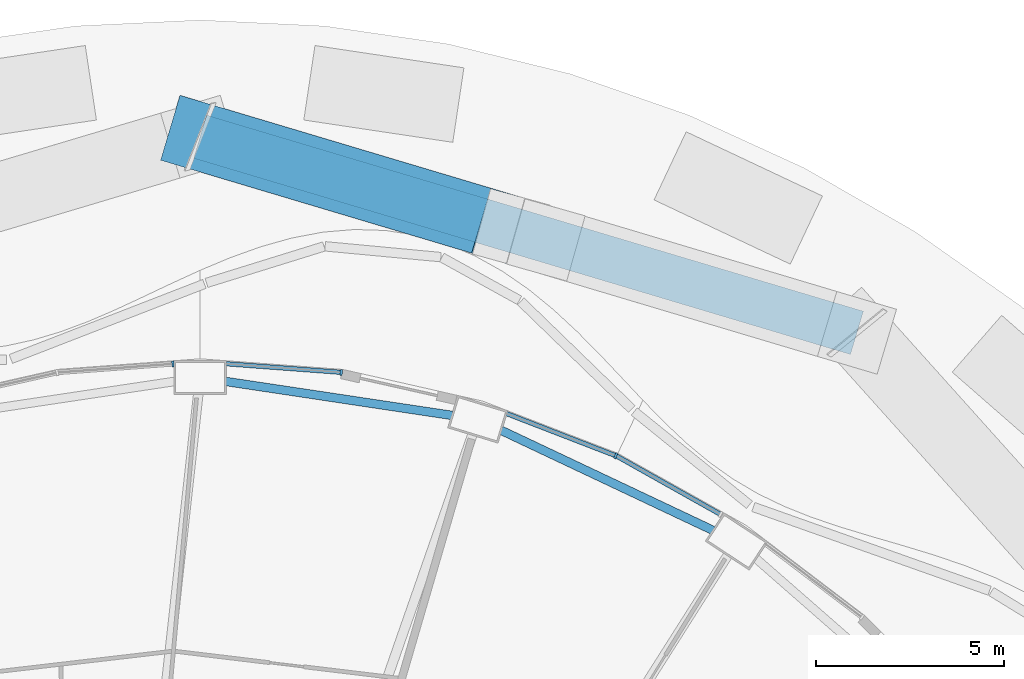
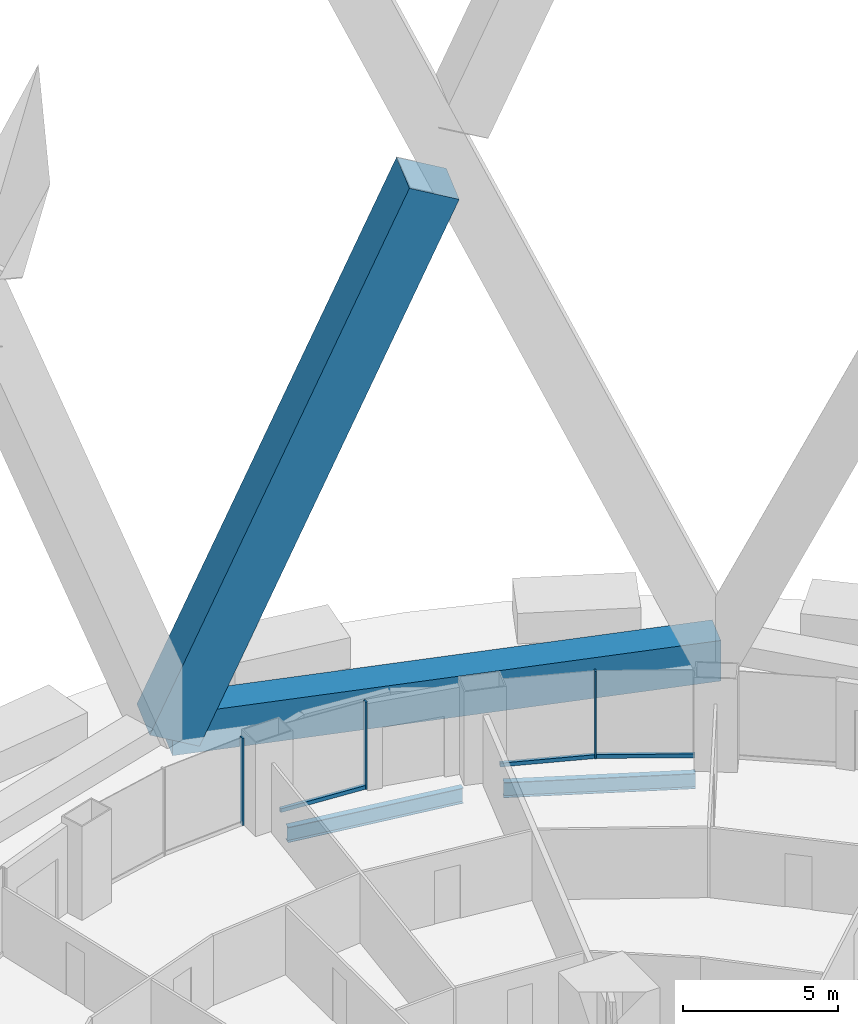
# One storey, part 27 of 42: 8 members, 2 beams, 4 elements without a shape of their own.
"""IFC4 building model written with IfcOpenShell, lengths in metres."""

from ifc_helpers import new_model, si_unit, direction, frame, origin, origin_2d, place, context, subcontext, project, spatial, rectangle, i_section, extrude, material, layer, layer_set, material_profile, profile_set, type_object, element, aggregate, save


model = new_model("IFC4")

# Units and contexts
model_context = context("Model", 3, precision=1e-05, world=origin(), true_north=direction((0.0, 1.0)))
body_context = subcontext(model_context, "Body", "Model", "MODEL_VIEW")
ifc_project = project(units=[si_unit("LENGTHUNIT", "METRE"), si_unit("AREAUNIT", "SQUARE_METRE"), si_unit("VOLUMEUNIT", "CUBIC_METRE"), si_unit("PLANEANGLEUNIT", "RADIAN"), si_unit("MASSUNIT", "GRAM", prefix="KILO")], contexts=[model_context])

# Site, building, storey
site_placement = place(None, origin())
site = spatial("IfcSite", under=ifc_project, at=site_placement, CompositionType="ELEMENT")
building_placement = place(site_placement, origin())
building = spatial("IfcBuilding", under=site, at=building_placement, Name="Nagisa Residences", CompositionType="ELEMENT")
storey_placement = place(building_placement, frame((0.0, 0.0, 27.0)))
storey = spatial("IfcBuildingStorey", under=building, at=storey_placement, Name="L05", CompositionType="ELEMENT", Elevation=27.0)

# Curtain wall, member
ifc_material_1 = material(Name="Concrete-coloured aluminium curtain wall system", Category="concrete")
ifc_layer = layer(ifc_material_1, 0.159912109375)
ifc_layer_set = layer_set([ifc_layer], Name="CW1 CURTAIN WALL")
curtain_wall_type = type_object("IfcCurtainWallType", Name="CW1 CURTAIN WALL", PredefinedType="NOTDEFINED", material=ifc_layer_set)
curtain_wall_1_placement = place(storey_placement, origin())
curtain_wall_1 = element("IfcCurtainWall", 1, at=curtain_wall_1_placement, inside=storey, type_object=curtain_wall_type, Name="cw:CW1:L05:09", PredefinedType="NOTDEFINED")
ifc_material_2 = material(Name="Concrete-coloured aluminium", Category="concrete")
ifc_material_profile_1 = material_profile(ifc_material_2, rectangle(XDim=0.159912109375, YDim=0.06005859375, at=origin_2d()), Name="CW1 MULLION 160x60")
ifc_profile_set_1 = profile_set([ifc_material_profile_1], Name="Concrete-coloured aluminium")
member_type_1 = type_object("IfcMemberType", Name="CW1 MULLION 160x60", PredefinedType="MULLION", material=ifc_profile_set_1)
member_1_placement = place(storey_placement, frame((14.64111328125, 30.42431640625, 0.0), z_axis=(0.0, 0.0, 1.0), x_axis=(-0.360327770268, -0.932825759707, 0.0)))
member_1 = element("IfcMember", 2, at=member_1_placement, type_object=member_type_1, Name="CW1 mullion", PredefinedType="MULLION", context=body_context, shape_type="SweptSolid", body=[
    extrude(rectangle(XDim=0.159912109375, YDim=0.06005859375, at=origin_2d()), origin(), (0.0, 0.0, 1.0), 3.43994140625),
])

curtain_wall_2_placement = place(storey_placement, origin())
curtain_wall_2 = element("IfcCurtainWall", 3, at=curtain_wall_2_placement, inside=storey, type_object=curtain_wall_type, Name="cw:CW1:L05:11", PredefinedType="NOTDEFINED")
member_2_placement = place(storey_placement, frame((7.349365234375, 32.64013671875, 0.0), z_axis=(0.0, 0.0, 1.0), x_axis=(-0.074377355493, -0.997230168512, 0.0)))
member_2 = element("IfcMember", 4, at=member_2_placement, type_object=member_type_1, Name="CW1 mullion", PredefinedType="MULLION", context=body_context, shape_type="SweptSolid", body=[
    extrude(rectangle(XDim=0.159912109375, YDim=0.06005859375, at=origin_2d()), origin(), (0.0, 0.0, 1.0), 3.43994140625),
])

curtain_wall_3_placement = place(storey_placement, origin())
curtain_wall_3 = element("IfcCurtainWall", 5, at=curtain_wall_3_placement, inside=storey, type_object=curtain_wall_type, Name="cw:CW1:L05:12", PredefinedType="NOTDEFINED")
member_3_placement = place(storey_placement, frame((2.8779296875, 32.865966796875, 0.0), z_axis=(0.0, 0.0, 1.0), x_axis=(0.074377355493, -0.997230168512, 0.0)))
member_3 = element("IfcMember", 6, at=member_3_placement, type_object=member_type_1, Name="CW1 mullion", PredefinedType="MULLION", context=body_context, shape_type="SweptSolid", body=[
    extrude(rectangle(XDim=0.159912109375, YDim=0.06005859375, at=origin_2d()), origin(), (0.0, 0.0, 1.0), 3.43994140625),
])
aggregate(curtain_wall_3, [member_3])

curtain_wall_4_placement = place(storey_placement, origin())
curtain_wall_4 = element("IfcCurtainWall", 7, at=curtain_wall_4_placement, inside=storey, type_object=curtain_wall_type, Name="cw:CW1:L05:08", PredefinedType="NOTDEFINED")
ifc_material_3 = material(Name="Concrete-coloured aluminium", Category="concrete")
ifc_material_profile_2 = material_profile(ifc_material_3, rectangle(XDim=0.1201171875, YDim=0.14990234375, at=origin_2d()), Name="CW1 TRANSOM 120x150")
ifc_profile_set_2 = profile_set([ifc_material_profile_2], Name="Concrete-coloured aluminium")
member_type_2 = type_object("IfcMemberType", Name="CW1 TRANSOM 120x150", PredefinedType="USERDEFINED", material=ifc_profile_set_2)
member_4_placement = place(storey_placement, frame((17.450439453125, 28.8515625, 0.074951171875), z_axis=(-0.872070011948, 0.489381133946, 0.0), x_axis=(-0.489381133946, -0.872070011948, 0.0)))
member_4 = element("IfcMember", 8, at=member_4_placement, type_object=member_type_2, Name="CW1 transom", ObjectType="TRANSOM", PredefinedType="USERDEFINED", context=body_context, shape_type="SweptSolid", body=[
    extrude(rectangle(XDim=0.1201171875, YDim=0.14990234375, at=origin_2d()), origin(), (0.0, 0.0, 1.0), 3.201171875),
])
aggregate(curtain_wall_4, [member_4])

# Member
member_5_placement = place(storey_placement, frame((14.6689453125, 30.413330078125, 0.074951171875), z_axis=(-0.932825366452, 0.360328788337, 0.0), x_axis=(-0.360328788337, -0.932825366452, 0.0)))
member_5 = element("IfcMember", 9, at=member_5_placement, type_object=member_type_2, Name="CW1 transom", ObjectType="TRANSOM", PredefinedType="USERDEFINED", context=body_context, shape_type="SweptSolid", body=[
    extrude(rectangle(XDim=0.1201171875, YDim=0.14990234375, at=origin_2d()), origin(), (0.0, 0.0, 1.0), 3.150634765625),
])

aggregate(curtain_wall_1, [member_1, member_5])

member_6_placement = place(storey_placement, frame((7.37939453125, 32.637939453125, 0.074951171875), z_axis=(-0.997231270995, 0.07436257224, 0.0), x_axis=(-0.07436257224, -0.997231270995, 0.0)))
member_6 = element("IfcMember", 10, at=member_6_placement, type_object=member_type_2, Name="CW1 transom", ObjectType="TRANSOM", PredefinedType="USERDEFINED", context=body_context, shape_type="SweptSolid", body=[
    extrude(rectangle(XDim=0.1201171875, YDim=0.14990234375, at=origin_2d()), origin(), (0.0, 0.0, 1.0), 3.095947265625),
])

aggregate(curtain_wall_2, [member_2, member_6])

# Members
ifc_material_4 = material(Name="Concrete C80", Category="concrete")
ifc_material_profile_3 = material_profile(ifc_material_4, rectangle(XDim=1.800048828125, YDim=1.800048828125, at=origin_2d()), Name="C80 1800x1800")
ifc_profile_set_3 = profile_set([ifc_material_profile_3], Name="Concrete C80")
member_type_3 = type_object("IfcMemberType", Name="Cage diagonal 1 C80 1800x1800", PredefinedType="BRACE", material=ifc_profile_set_3)
member_7_placement = place(storey_placement, frame((3.60009765625, 38.89990234375, 0.0), z_axis=(0.376643319608, -0.112491131206, 0.919502884821), x_axis=(0.286176350626, 0.958176965045, 0.0)))
element("IfcMember", 11, at=member_7_placement, inside=storey, type_object=member_type_3, Name="mem:L05:cg1d106a", PredefinedType="BRACE", context=body_context, shape_type="SweptSolid", body=[
    extrude(rectangle(XDim=1.800048828125, YDim=1.800048828125, at=origin_2d()), origin(), (0.0, 0.0, 1.0), 21.939697265625),
])
ifc_material_5 = material(Name="Concrete C80", Category="concrete")
ifc_material_profile_4 = material_profile(ifc_material_5, rectangle(XDim=1.199951171875, YDim=1.60009765625, at=origin_2d()), Name="C80 1200x1600")
ifc_profile_set_4 = profile_set([ifc_material_profile_4], Name="Concrete C80")
member_type_4 = type_object("IfcMemberType", Name="Cage ring 1 C80 1200x1600", PredefinedType="CHORD", material=ifc_profile_set_4)
member_8_placement = place(storey_placement, frame((21.050048828125, 33.6884765625, 0.0), z_axis=(-0.958181603798, 0.286160818673, 0.0), x_axis=(-0.286160818673, -0.958181603798, 0.0)))
element("IfcMember", 12, at=member_8_placement, inside=storey, type_object=member_type_4, Name="beam:L05:cg1r103", PredefinedType="CHORD", context=body_context, shape_type="SweptSolid", body=[
    extrude(rectangle(XDim=1.199951171875, YDim=1.60009765625, at=origin_2d()), origin(), (0.0, 0.0, 1.0), 18.21142578125),
])

# Beams
ifc_material_6 = material(Name="Steel ASTM A572 Gr 50", Category="steel")
ifc_material_profile_5 = material_profile(ifc_material_6, i_section(OverallWidth=0.22802734375, OverallDepth=0.60302734375, WebThickness=0.010498046875, FlangeThickness=0.014892578125, at=origin_2d()), Name="W610x101")
ifc_profile_set_5 = profile_set([ifc_material_profile_5], Name="Steel ASTM A572 Gr 50")
beam_type = type_object("IfcBeamType", Name="Perimeter ring beam W610x101", PredefinedType="BEAM", material=ifc_profile_set_5)
beam_1_placement = place(storey_placement, frame((17.22900390625, 28.439208984375, -0.5615234375), z_axis=(-0.904215426643, 0.427076646774, 0.0), x_axis=(-0.427076646774, -0.904215426643, 0.0)))
element("IfcBeam", 13, at=beam_1_placement, inside=storey, type_object=beam_type, Name="beam:L05:pb05", PredefinedType="BEAM", context=body_context, shape_type="SweptSolid", body=[
    extrude(i_section(OverallWidth=0.22802734375, OverallDepth=0.60302734375, WebThickness=0.010498046875, FlangeThickness=0.014892578125, at=origin_2d()), origin(), (0.0, 0.0, 1.0), 6.2275390625),
])
beam_2_placement = place(storey_placement, frame((10.29638671875, 31.49462890625, -0.5615234375), z_axis=(-0.988914559467, 0.14848566959, 0.0), x_axis=(-0.14848566959, -0.988914559467, 0.0)))
element("IfcBeam", 14, at=beam_2_placement, inside=storey, type_object=beam_type, Name="beam:L05:pb06", PredefinedType="BEAM", context=body_context, shape_type="SweptSolid", body=[
    extrude(i_section(OverallWidth=0.22802734375, OverallDepth=0.60302734375, WebThickness=0.010498046875, FlangeThickness=0.014892578125, at=origin_2d()), origin(), (0.0, 0.0, 1.0), 6.08349609375),
])

save(model, "model.ifc")
